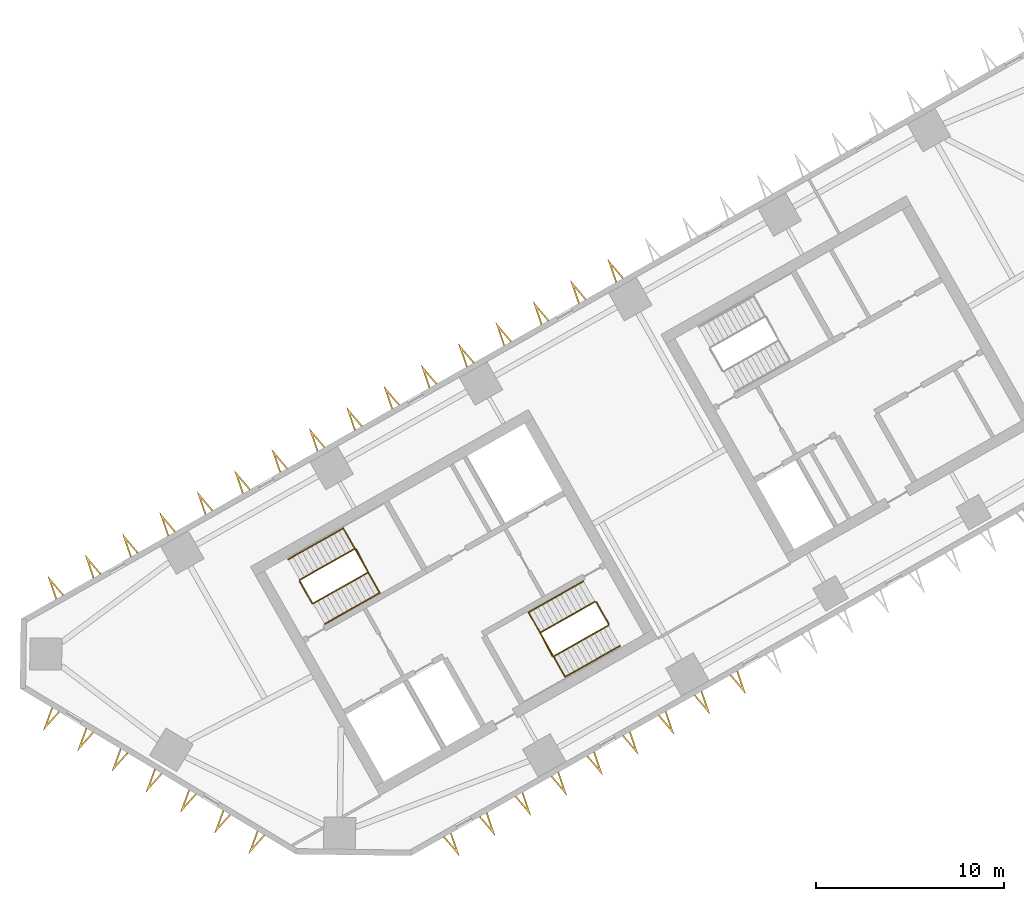
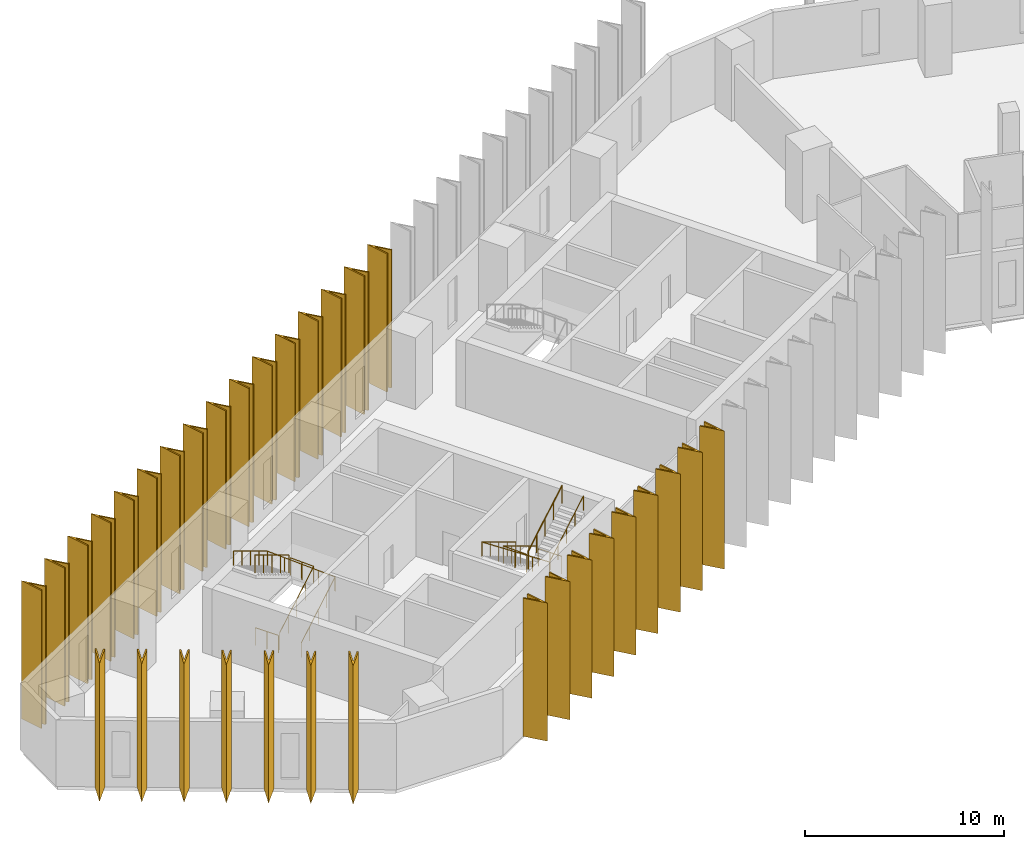
# One storey, part 9 of 11: 32 shading devices, 8 railings.
"""IFC4 building model written with IfcOpenShell, lengths in metres."""

from ifc_helpers import new_model, si_unit, direction, frame, origin, origin_2d, place, context, subcontext, project, spatial, polyline, circle, outline, extrude, material, type_object, element, save


model = new_model("IFC4")

# Units and contexts
model_context = context("Model", 3, precision=1e-05, world=origin(), true_north=direction((0.0, 1.0)))
body_context = subcontext(model_context, "Body", "Model", "MODEL_VIEW")
ifc_project = project(units=[si_unit("LENGTHUNIT", "METRE"), si_unit("AREAUNIT", "SQUARE_METRE"), si_unit("VOLUMEUNIT", "CUBIC_METRE"), si_unit("PLANEANGLEUNIT", "RADIAN"), si_unit("MASSUNIT", "GRAM", prefix="KILO")], contexts=[model_context])

# Site, building, storey
site_placement = place(None, origin())
site = spatial("IfcSite", under=ifc_project, at=site_placement, CompositionType="ELEMENT")
building_placement = place(site_placement, origin())
building = spatial("IfcBuilding", under=site, at=building_placement, Name="Binnacle Exchange Tower", CompositionType="ELEMENT")
storey_placement = place(building_placement, frame((0.0, 0.0, 123.5)))
storey = spatial("IfcBuildingStorey", under=building, at=storey_placement, Name="L25", CompositionType="ELEMENT", Elevation=123.5)

# Railings
ifc_material_1 = material(Name="Steel guard rail", Category="steel")
railing_type_1 = type_object("IfcRailingType", Name="STAIR GUARD 1100", PredefinedType="GUARDRAIL", material=ifc_material_1)
railing_1_placement = place(storey_placement, frame((-43.26171875, 39.71728515625, 0.169189453125)))
element("IfcRailing", 1, at=railing_1_placement, inside=storey, type_object=railing_type_1, Name="L25 STA1 stair guard 1", PredefinedType="GUARDRAIL", context=body_context, shape_type="SweptSolid", body=[
    extrude(circle(Radius=0.02392578125, at=origin_2d()), frame((0.0, 0.0, 1.076171875), z_axis=(0.744867460262, 0.421436531824, 0.517265614832), x_axis=(-0.492433119026, 0.870350287693, 0.0)), (0.0, 0.0, 1.0), 3.926025390625),
    extrude(circle(Radius=0.02392578125, at=origin_2d()), frame((2.92431640625, 1.654541015625, 3.10693359375), z_axis=(-0.460963092712, 0.887419307406, 0.0), x_axis=(-0.887419307406, -0.460963092712, 0.0)), (0.0, 0.0, 1.0), 1.40087890625),
    extrude(circle(Radius=0.02099609375, at=origin_2d()), origin(), (0.0, 0.0, 1.0), 1.052001953125),
    extrude(circle(Radius=0.02099609375, at=origin_2d()), frame((0.73095703125, 0.41357421875, 0.5078125)), (0.0, 0.0, 1.0), 1.052001953125),
    extrude(circle(Radius=0.02099609375, at=origin_2d()), frame((1.462158203125, 0.8271484375, 1.015380859375)), (0.0, 0.0, 1.0), 1.052001953125),
    extrude(circle(Radius=0.02099609375, at=origin_2d()), frame((2.193359375, 1.240966796875, 1.52294921875)), (0.0, 0.0, 1.0), 1.052001953125),
    extrude(circle(Radius=0.02099609375, at=origin_2d()), frame((2.92431640625, 1.654541015625, 2.03076171875)), (0.0, 0.0, 1.0), 1.052001953125),
    extrude(circle(Radius=0.02099609375, at=origin_2d()), frame((2.6015625, 2.276123046875, 2.03076171875)), (0.0, 0.0, 1.0), 1.052001953125),
    extrude(circle(Radius=0.02099609375, at=origin_2d()), frame((2.278564453125, 2.897705078125, 2.03076171875)), (0.0, 0.0, 1.0), 1.052001953125),
])
railing_2_placement = place(storey_placement, frame((-41.05126953125, 42.6337890625, 2.369140625)))
element("IfcRailing", 2, at=railing_2_placement, inside=storey, type_object=railing_type_1, Name="L25 STA1 stair guard 2", PredefinedType="GUARDRAIL", context=body_context, shape_type="SweptSolid", body=[
    extrude(circle(Radius=0.02392578125, at=origin_2d()), frame((0.0, 0.0, 1.076171875), z_axis=(-0.744895141965, -0.421417011194, 0.517241655469), x_axis=(0.49240197835, -0.870367905955, 0.0)), (0.0, 0.0, 1.0), 3.926025390625),
    extrude(circle(Radius=0.02099609375, at=origin_2d()), origin(), (0.0, 0.0, 1.0), 1.052001953125),
    extrude(circle(Radius=0.02099609375, at=origin_2d()), frame((-0.731201171875, -0.41357421875, 0.5078125)), (0.0, 0.0, 1.0), 1.052001953125),
    extrude(circle(Radius=0.02099609375, at=origin_2d()), frame((-1.46240234375, -0.8271484375, 1.015380859375)), (0.0, 0.0, 1.0), 1.052001953125),
    extrude(circle(Radius=0.02099609375, at=origin_2d()), frame((-2.193359375, -1.240966796875, 1.52294921875)), (0.0, 0.0, 1.0), 1.052001953125),
    extrude(circle(Radius=0.02099609375, at=origin_2d()), frame((-2.924560546875, -1.654541015625, 2.03076171875)), (0.0, 0.0, 1.0), 1.052001953125),
])
railing_3_placement = place(storey_placement, frame((-43.329833984375, 39.736328125, 0.0)))
element("IfcRailing", 3, at=railing_3_placement, inside=storey, type_object=railing_type_1, Name="L25 STA1 stair guard 3", PredefinedType="GUARDRAIL", context=body_context, shape_type="SweptSolid", body=[
    extrude(circle(Radius=0.02392578125, at=origin_2d()), frame((0.0, 0.0, 1.076171875), z_axis=(-0.4924922531, 0.870316827734, 0.0), x_axis=(-0.870316827734, -0.4924922531, 0.0)), (0.0, 0.0, 1.0), 1.349853515625),
    extrude(circle(Radius=0.02099609375, at=origin_2d()), origin(), (0.0, 0.0, 1.0), 1.052001953125),
    extrude(circle(Radius=0.02099609375, at=origin_2d()), frame((-0.33251953125, 0.58740234375, 0.0)), (0.0, 0.0, 1.0), 1.052001953125),
    extrude(circle(Radius=0.02099609375, at=origin_2d()), frame((-0.664794921875, 1.1748046875, 0.0)), (0.0, 0.0, 1.0), 1.052001953125),
])
railing_4_placement = place(storey_placement, frame((-28.265380859375, 39.814453125, 0.169189453125)))
element("IfcRailing", 4, at=railing_4_placement, inside=storey, type_object=railing_type_1, Name="L25 STA2 stair guard 1", PredefinedType="GUARDRAIL", context=body_context, shape_type="SweptSolid", body=[
    extrude(circle(Radius=0.02392578125, at=origin_2d()), frame((0.0, 0.0, 1.076171875), z_axis=(-0.744895141965, -0.421417011194, 0.517241655469), x_axis=(0.49240197835, -0.870367905955, 0.0)), (0.0, 0.0, 1.0), 3.926025390625),
    extrude(circle(Radius=0.02392578125, at=origin_2d()), frame((-2.924560546875, -1.654541015625, 3.10693359375), z_axis=(0.461100321709, -0.887348011391, 0.0), x_axis=(0.887348011391, 0.461100321709, 0.0)), (0.0, 0.0, 1.0), 1.40087890625),
    extrude(circle(Radius=0.02099609375, at=origin_2d()), origin(), (0.0, 0.0, 1.0), 1.052001953125),
    extrude(circle(Radius=0.02099609375, at=origin_2d()), frame((-0.731201171875, -0.41357421875, 0.5078125)), (0.0, 0.0, 1.0), 1.052001953125),
    extrude(circle(Radius=0.02099609375, at=origin_2d()), frame((-1.46240234375, -0.8271484375, 1.015380859375)), (0.0, 0.0, 1.0), 1.052001953125),
    extrude(circle(Radius=0.02099609375, at=origin_2d()), frame((-2.193359375, -1.240966796875, 1.52294921875)), (0.0, 0.0, 1.0), 1.052001953125),
    extrude(circle(Radius=0.02099609375, at=origin_2d()), frame((-2.924560546875, -1.654541015625, 2.03076171875)), (0.0, 0.0, 1.0), 1.052001953125),
    extrude(circle(Radius=0.02099609375, at=origin_2d()), frame((-2.6015625, -2.276123046875, 2.03076171875)), (0.0, 0.0, 1.0), 1.052001953125),
    extrude(circle(Radius=0.02099609375, at=origin_2d()), frame((-2.278564453125, -2.897705078125, 2.03076171875)), (0.0, 0.0, 1.0), 1.052001953125),
])
railing_5_placement = place(storey_placement, frame((-30.475830078125, 36.89794921875, 2.369140625)))
element("IfcRailing", 5, at=railing_5_placement, inside=storey, type_object=railing_type_1, Name="L25 STA2 stair guard 2", PredefinedType="GUARDRAIL", context=body_context, shape_type="SweptSolid", body=[
    extrude(circle(Radius=0.02392578125, at=origin_2d()), frame((0.0, 0.0, 1.076171875), z_axis=(0.744867460262, 0.421436531824, 0.517265614832), x_axis=(-0.492433119026, 0.870350287693, 0.0)), (0.0, 0.0, 1.0), 3.926025390625),
    extrude(circle(Radius=0.02099609375, at=origin_2d()), origin(), (0.0, 0.0, 1.0), 1.052001953125),
    extrude(circle(Radius=0.02099609375, at=origin_2d()), frame((0.73095703125, 0.41357421875, 0.5078125)), (0.0, 0.0, 1.0), 1.052001953125),
    extrude(circle(Radius=0.02099609375, at=origin_2d()), frame((1.462158203125, 0.8271484375, 1.015380859375)), (0.0, 0.0, 1.0), 1.052001953125),
    extrude(circle(Radius=0.02099609375, at=origin_2d()), frame((2.193359375, 1.240966796875, 1.52294921875)), (0.0, 0.0, 1.0), 1.052001953125),
    extrude(circle(Radius=0.02099609375, at=origin_2d()), frame((2.92431640625, 1.654541015625, 2.03076171875)), (0.0, 0.0, 1.0), 1.052001953125),
])
railing_6_placement = place(storey_placement, frame((-28.197265625, 39.795654296875, 0.0)))
element("IfcRailing", 6, at=railing_6_placement, inside=storey, type_object=railing_type_1, Name="L25 STA2 stair guard 3", PredefinedType="GUARDRAIL", context=body_context, shape_type="SweptSolid", body=[
    extrude(circle(Radius=0.02392578125, at=origin_2d()), frame((0.0, 0.0, 1.076171875), z_axis=(0.49241474071, -0.870360685654, 0.0), x_axis=(0.870360685654, 0.49241474071, 0.0)), (0.0, 0.0, 1.0), 1.35009765625),
    extrude(circle(Radius=0.02099609375, at=origin_2d()), origin(), (0.0, 0.0, 1.0), 1.052001953125),
    extrude(circle(Radius=0.02099609375, at=origin_2d()), frame((0.33251953125, -0.58740234375, 0.0)), (0.0, 0.0, 1.0), 1.052001953125),
    extrude(circle(Radius=0.02099609375, at=origin_2d()), frame((0.664794921875, -1.175048828125, 0.0)), (0.0, 0.0, 1.0), 1.052001953125),
])
ifc_material_2 = material(Name="Steel handrail", Category="steel")
railing_type_2 = type_object("IfcRailingType", Name="STAIR HANDRAIL 900", PredefinedType="HANDRAIL", material=ifc_material_2)
railing_7_placement = place(storey_placement, frame((-42.646240234375, 38.62939453125, 0.169189453125)))
element("IfcRailing", 7, at=railing_7_placement, inside=storey, type_object=railing_type_2, Name="L25 STA1 stair handrail 1", PredefinedType="HANDRAIL", context=body_context, shape_type="SweptSolid", body=[
    extrude(circle(Radius=0.02392578125, at=origin_2d()), frame((0.0, 0.0, 0.8759765625), z_axis=(0.744867460262, 0.421436531824, 0.517265614832), x_axis=(-0.492433119026, 0.870350287693, 0.0)), (0.0, 0.0, 1.0), 3.926025390625),
    extrude(circle(Radius=0.02392578125, at=origin_2d()), frame((2.92431640625, 1.654541015625, 2.90673828125), z_axis=(-0.491962556146, 0.869564041126, 0.04279277663), x_axis=(-0.870361318571, -0.492413622004, 0.0)), (0.0, 0.0, 1.0), 3.95361328125),
    extrude(circle(Radius=0.02392578125, at=origin_2d()), frame((0.979248046875, 5.092529296875, 3.07568359375), z_axis=(-0.744867460262, -0.421436531824, 0.517265614832), x_axis=(0.492433119026, -0.870350287693, 0.0)), (0.0, 0.0, 1.0), 3.926025390625),
    extrude(circle(Radius=0.02099609375, at=origin_2d()), origin(), (0.0, 0.0, 1.0), 0.851806640625),
    extrude(circle(Radius=0.02099609375, at=origin_2d()), frame((0.73095703125, 0.41357421875, 0.5078125)), (0.0, 0.0, 1.0), 0.851806640625),
    extrude(circle(Radius=0.02099609375, at=origin_2d()), frame((1.462158203125, 0.8271484375, 1.015380859375)), (0.0, 0.0, 1.0), 0.851806640625),
    extrude(circle(Radius=0.02099609375, at=origin_2d()), frame((2.193359375, 1.240966796875, 1.52294921875)), (0.0, 0.0, 1.0), 0.851806640625),
    extrude(circle(Radius=0.02099609375, at=origin_2d()), frame((2.92431640625, 1.654541015625, 2.03076171875)), (0.0, 0.0, 1.0), 0.851806640625),
    extrude(circle(Radius=0.02099609375, at=origin_2d()), frame((2.43798828125, 2.51416015625, 2.072998046875)), (0.0, 0.0, 1.0), 0.851806640625),
    extrude(circle(Radius=0.02099609375, at=origin_2d()), frame((1.95166015625, 3.37353515625, 2.115234375)), (0.0, 0.0, 1.0), 0.851806640625),
    extrude(circle(Radius=0.02099609375, at=origin_2d()), frame((1.465576171875, 4.23291015625, 2.15771484375)), (0.0, 0.0, 1.0), 0.851806640625),
    extrude(circle(Radius=0.02099609375, at=origin_2d()), frame((0.979248046875, 5.092529296875, 2.199951171875)), (0.0, 0.0, 1.0), 0.851806640625),
    extrude(circle(Radius=0.02099609375, at=origin_2d()), frame((0.248046875, 4.678955078125, 2.70751953125)), (0.0, 0.0, 1.0), 0.851806640625),
    extrude(circle(Radius=0.02099609375, at=origin_2d()), frame((-0.48291015625, 4.26513671875, 3.21533203125)), (0.0, 0.0, 1.0), 0.851806640625),
    extrude(circle(Radius=0.02099609375, at=origin_2d()), frame((-1.2138671875, 3.8515625, 3.72314453125)), (0.0, 0.0, 1.0), 0.851806640625),
    extrude(circle(Radius=0.02099609375, at=origin_2d()), frame((-1.945068359375, 3.43798828125, 4.230712890625)), (0.0, 0.0, 1.0), 0.851806640625),
])
railing_8_placement = place(storey_placement, frame((-28.880859375, 40.90234375, 0.169189453125)))
element("IfcRailing", 8, at=railing_8_placement, inside=storey, type_object=railing_type_2, Name="L25 STA2 stair handrail 1", PredefinedType="HANDRAIL", context=body_context, shape_type="SweptSolid", body=[
    extrude(circle(Radius=0.02392578125, at=origin_2d()), frame((0.0, 0.0, 0.8759765625), z_axis=(-0.744895141965, -0.421417011194, 0.517241655469), x_axis=(0.49240197835, -0.870367905955, 0.0)), (0.0, 0.0, 1.0), 3.926025390625),
    extrude(circle(Radius=0.02392578125, at=origin_2d()), frame((-2.924560546875, -1.654541015625, 2.90673828125), z_axis=(0.491988973567, -0.869548981648, 0.042795074518), x_axis=(0.87034633103, 0.492440112159, 0.0)), (0.0, 0.0, 1.0), 3.953369140625),
    extrude(circle(Radius=0.02392578125, at=origin_2d()), frame((-0.9794921875, -5.09228515625, 3.07568359375), z_axis=(0.744895141965, 0.421417011194, 0.517241655469), x_axis=(-0.49240197835, 0.870367905955, 0.0)), (0.0, 0.0, 1.0), 3.926025390625),
    extrude(circle(Radius=0.02099609375, at=origin_2d()), origin(), (0.0, 0.0, 1.0), 0.851806640625),
    extrude(circle(Radius=0.02099609375, at=origin_2d()), frame((-0.731201171875, -0.41357421875, 0.5078125)), (0.0, 0.0, 1.0), 0.851806640625),
    extrude(circle(Radius=0.02099609375, at=origin_2d()), frame((-1.46240234375, -0.8271484375, 1.015380859375)), (0.0, 0.0, 1.0), 0.851806640625),
    extrude(circle(Radius=0.02099609375, at=origin_2d()), frame((-2.193359375, -1.240966796875, 1.52294921875)), (0.0, 0.0, 1.0), 0.851806640625),
    extrude(circle(Radius=0.02099609375, at=origin_2d()), frame((-2.924560546875, -1.654541015625, 2.03076171875)), (0.0, 0.0, 1.0), 0.851806640625),
    extrude(circle(Radius=0.02099609375, at=origin_2d()), frame((-2.438232421875, -2.513916015625, 2.072998046875)), (0.0, 0.0, 1.0), 0.851806640625),
    extrude(circle(Radius=0.02099609375, at=origin_2d()), frame((-1.9521484375, -3.37353515625, 2.115234375)), (0.0, 0.0, 1.0), 0.851806640625),
    extrude(circle(Radius=0.02099609375, at=origin_2d()), frame((-1.4658203125, -4.23291015625, 2.15771484375)), (0.0, 0.0, 1.0), 0.851806640625),
    extrude(circle(Radius=0.02099609375, at=origin_2d()), frame((-0.9794921875, -5.09228515625, 2.199951171875)), (0.0, 0.0, 1.0), 0.851806640625),
    extrude(circle(Radius=0.02099609375, at=origin_2d()), frame((-0.248291015625, -4.6787109375, 2.70751953125)), (0.0, 0.0, 1.0), 0.851806640625),
    extrude(circle(Radius=0.02099609375, at=origin_2d()), frame((0.48291015625, -4.26513671875, 3.21533203125)), (0.0, 0.0, 1.0), 0.851806640625),
    extrude(circle(Radius=0.02099609375, at=origin_2d()), frame((1.2138671875, -3.851318359375, 3.72314453125)), (0.0, 0.0, 1.0), 0.851806640625),
    extrude(circle(Radius=0.02099609375, at=origin_2d()), frame((1.945068359375, -3.437744140625, 4.230712890625)), (0.0, 0.0, 1.0), 0.851806640625),
])

# Shading devices
ifc_material_3 = material(Name="Bronze aluminium cladding", Category="aluminium")
shading_device_type = type_object("IfcShadingDeviceType", Name="V FIN 1300 DEEP x 8480 HIGH", PredefinedType="USERDEFINED", material=ifc_material_3)
shading_device_1_placement = place(storey_placement, origin())
element("IfcShadingDevice", 9, at=shading_device_1_placement, inside=storey, type_object=shading_device_type, Name="V fin FN-F03-12 L25", ObjectType="FIN", PredefinedType="USERDEFINED", context=body_context, shape_type="SweptSolid", body=[
    extrude(outline(polyline([(-26.7412109375, 57.04296875), (-27.59912109375, 58.05126953125), (-27.176513671875, 56.796630859375), (-27.10546875, 56.8369140625), (-27.390380859375, 57.6826171875), (-26.81201171875, 57.002685546875), (-26.7412109375, 57.04296875)])), origin(), (0.0, 0.0, 1.0), 8.47998046875),
])
shading_device_2_placement = place(storey_placement, origin())
element("IfcShadingDevice", 10, at=shading_device_2_placement, inside=storey, type_object=shading_device_type, Name="V fin FN-F03-13 L25", ObjectType="FIN", PredefinedType="USERDEFINED", context=body_context, shape_type="SweptSolid", body=[
    extrude(outline(polyline([(-28.727783203125, 55.9189453125), (-29.58544921875, 56.92724609375), (-29.162841796875, 55.672607421875), (-29.092041015625, 55.712890625), (-29.376708984375, 56.55859375), (-28.798583984375, 55.87890625), (-28.727783203125, 55.9189453125)])), origin(), (0.0, 0.0, 1.0), 8.47998046875),
])
shading_device_3_placement = place(storey_placement, origin())
element("IfcShadingDevice", 11, at=shading_device_3_placement, inside=storey, type_object=shading_device_type, Name="V fin FN-F03-14 L25", ObjectType="FIN", PredefinedType="USERDEFINED", context=body_context, shape_type="SweptSolid", body=[
    extrude(outline(polyline([(-30.71435546875, 54.794921875), (-31.572021484375, 55.803466796875), (-31.1494140625, 54.548828125), (-31.07861328125, 54.5888671875), (-31.36328125, 55.434814453125), (-30.78515625, 54.7548828125), (-30.71435546875, 54.794921875)])), origin(), (0.0, 0.0, 1.0), 8.47998046875),
])
shading_device_4_placement = place(storey_placement, origin())
element("IfcShadingDevice", 12, at=shading_device_4_placement, inside=storey, type_object=shading_device_type, Name="V fin FN-F03-15 L25", ObjectType="FIN", PredefinedType="USERDEFINED", context=body_context, shape_type="SweptSolid", body=[
    extrude(outline(polyline([(-32.70068359375, 53.6708984375), (-33.55859375, 54.679443359375), (-33.135986328125, 53.4248046875), (-33.065185546875, 53.46484375), (-33.349853515625, 54.310791015625), (-32.771728515625, 53.630859375), (-32.70068359375, 53.6708984375)])), origin(), (0.0, 0.0, 1.0), 8.47998046875),
])
shading_device_5_placement = place(storey_placement, origin())
element("IfcShadingDevice", 13, at=shading_device_5_placement, inside=storey, type_object=shading_device_type, Name="V fin FN-F03-16 L25", ObjectType="FIN", PredefinedType="USERDEFINED", context=body_context, shape_type="SweptSolid", body=[
    extrude(outline(polyline([(-34.687255859375, 52.547119140625), (-35.545166015625, 53.555419921875), (-35.12255859375, 52.30078125), (-35.051513671875, 52.341064453125), (-35.33642578125, 53.186767578125), (-34.75830078125, 52.507080078125), (-34.687255859375, 52.547119140625)])), origin(), (0.0, 0.0, 1.0), 8.47998046875),
])
shading_device_6_placement = place(storey_placement, origin())
element("IfcShadingDevice", 14, at=shading_device_6_placement, inside=storey, type_object=shading_device_type, Name="V fin FN-F03-17 L25", ObjectType="FIN", PredefinedType="USERDEFINED", context=body_context, shape_type="SweptSolid", body=[
    extrude(outline(polyline([(-36.673828125, 51.423095703125), (-37.53173828125, 52.431640625), (-37.109130859375, 51.177001953125), (-37.0380859375, 51.217041015625), (-37.322998046875, 52.06298828125), (-36.744873046875, 51.383056640625), (-36.673828125, 51.423095703125)])), origin(), (0.0, 0.0, 1.0), 8.47998046875),
])
shading_device_7_placement = place(storey_placement, origin())
element("IfcShadingDevice", 15, at=shading_device_7_placement, inside=storey, type_object=shading_device_type, Name="V fin FN-F03-18 L25", ObjectType="FIN", PredefinedType="USERDEFINED", context=body_context, shape_type="SweptSolid", body=[
    extrude(outline(polyline([(-38.660400390625, 50.29931640625), (-39.518310546875, 51.3076171875), (-39.095703125, 50.052978515625), (-39.02490234375, 50.093017578125), (-39.3095703125, 50.93896484375), (-38.7314453125, 50.259033203125), (-38.660400390625, 50.29931640625)])), origin(), (0.0, 0.0, 1.0), 8.47998046875),
])
shading_device_8_placement = place(storey_placement, origin())
element("IfcShadingDevice", 16, at=shading_device_8_placement, inside=storey, type_object=shading_device_type, Name="V fin FN-F03-19 L25", ObjectType="FIN", PredefinedType="USERDEFINED", context=body_context, shape_type="SweptSolid", body=[
    extrude(outline(polyline([(-40.64697265625, 49.17529296875), (-41.5048828125, 50.18359375), (-41.082275390625, 48.92919921875), (-41.01123046875, 48.96923828125), (-41.296142578125, 49.81494140625), (-40.718017578125, 49.13525390625), (-40.64697265625, 49.17529296875)])), origin(), (0.0, 0.0, 1.0), 8.47998046875),
])
shading_device_9_placement = place(storey_placement, origin())
element("IfcShadingDevice", 17, at=shading_device_9_placement, inside=storey, type_object=shading_device_type, Name="V fin FN-F03-20 L25", ObjectType="FIN", PredefinedType="USERDEFINED", context=body_context, shape_type="SweptSolid", body=[
    extrude(outline(polyline([(-42.633544921875, 48.05126953125), (-43.491455078125, 49.059814453125), (-43.06884765625, 47.80517578125), (-42.997802734375, 47.84521484375), (-43.28271484375, 48.69091796875), (-42.70458984375, 48.01123046875), (-42.633544921875, 48.05126953125)])), origin(), (0.0, 0.0, 1.0), 8.47998046875),
])
shading_device_10_placement = place(storey_placement, origin())
element("IfcShadingDevice", 18, at=shading_device_10_placement, inside=storey, type_object=shading_device_type, Name="V fin FN-F03-21 L25", ObjectType="FIN", PredefinedType="USERDEFINED", context=body_context, shape_type="SweptSolid", body=[
    extrude(outline(polyline([(-44.6201171875, 46.927490234375), (-45.47802734375, 47.935791015625), (-45.055419921875, 46.68115234375), (-44.984619140625, 46.72119140625), (-45.269287109375, 47.567138671875), (-44.691162109375, 46.88720703125), (-44.6201171875, 46.927490234375)])), origin(), (0.0, 0.0, 1.0), 8.47998046875),
])
shading_device_11_placement = place(storey_placement, origin())
element("IfcShadingDevice", 19, at=shading_device_11_placement, inside=storey, type_object=shading_device_type, Name="V fin FN-F03-22 L25", ObjectType="FIN", PredefinedType="USERDEFINED", context=body_context, shape_type="SweptSolid", body=[
    extrude(outline(polyline([(-46.606689453125, 45.803466796875), (-47.464599609375, 46.81201171875), (-47.0419921875, 45.557373046875), (-46.970947265625, 45.597412109375), (-47.255859375, 46.443115234375), (-46.677490234375, 45.763427734375), (-46.606689453125, 45.803466796875)])), origin(), (0.0, 0.0, 1.0), 8.47998046875),
])
shading_device_12_placement = place(storey_placement, origin())
element("IfcShadingDevice", 20, at=shading_device_12_placement, inside=storey, type_object=shading_device_type, Name="V fin FN-F03-23 L25", ObjectType="FIN", PredefinedType="USERDEFINED", context=body_context, shape_type="SweptSolid", body=[
    extrude(outline(polyline([(-48.59326171875, 44.679443359375), (-49.451171875, 45.68798828125), (-49.028564453125, 44.433349609375), (-48.95751953125, 44.473388671875), (-49.242431640625, 45.319091796875), (-48.664306640625, 44.639404296875), (-48.59326171875, 44.679443359375)])), origin(), (0.0, 0.0, 1.0), 8.47998046875),
])
shading_device_13_placement = place(storey_placement, origin())
element("IfcShadingDevice", 21, at=shading_device_13_placement, inside=storey, type_object=shading_device_type, Name="V fin FN-F03-24 L25", ObjectType="FIN", PredefinedType="USERDEFINED", context=body_context, shape_type="SweptSolid", body=[
    extrude(outline(polyline([(-50.579833984375, 43.5556640625), (-51.4375, 44.56396484375), (-51.014892578125, 43.309326171875), (-50.944091796875, 43.349609375), (-51.22900390625, 44.1953125), (-50.650634765625, 43.515380859375), (-50.579833984375, 43.5556640625)])), origin(), (0.0, 0.0, 1.0), 8.47998046875),
])
shading_device_14_placement = place(storey_placement, origin())
element("IfcShadingDevice", 22, at=shading_device_14_placement, inside=storey, type_object=shading_device_type, Name="V fin FN-F03-25 L25", ObjectType="FIN", PredefinedType="USERDEFINED", context=body_context, shape_type="SweptSolid", body=[
    extrude(outline(polyline([(-52.56640625, 42.431640625), (-53.42431640625, 43.440185546875), (-53.001708984375, 42.185546875), (-52.9306640625, 42.2255859375), (-53.215576171875, 43.0712890625), (-52.63720703125, 42.3916015625), (-52.56640625, 42.431640625)])), origin(), (0.0, 0.0, 1.0), 8.47998046875),
])
shading_device_15_placement = place(storey_placement, origin())
element("IfcShadingDevice", 23, at=shading_device_15_placement, inside=storey, type_object=shading_device_type, Name="V fin FN-F03-26 L25", ObjectType="FIN", PredefinedType="USERDEFINED", context=body_context, shape_type="SweptSolid", body=[
    extrude(outline(polyline([(-54.552978515625, 41.3076171875), (-55.410888671875, 42.316162109375), (-54.98828125, 41.0615234375), (-54.917236328125, 41.1015625), (-55.2021484375, 41.947509765625), (-54.623779296875, 41.267578125), (-54.552978515625, 41.3076171875)])), origin(), (0.0, 0.0, 1.0), 8.47998046875),
])
shading_device_16_placement = place(storey_placement, origin())
element("IfcShadingDevice", 24, at=shading_device_16_placement, inside=storey, type_object=shading_device_type, Name="V fin FN-F03-27 L25", ObjectType="FIN", PredefinedType="USERDEFINED", context=body_context, shape_type="SweptSolid", body=[
    extrude(outline(polyline([(-56.53955078125, 40.183837890625), (-57.397216796875, 41.192138671875), (-56.974609375, 39.9375), (-56.90380859375, 39.977783203125), (-57.188720703125, 40.823486328125), (-56.6103515625, 40.143798828125), (-56.53955078125, 40.183837890625)])), origin(), (0.0, 0.0, 1.0), 8.47998046875),
])
shading_device_17_placement = place(storey_placement, origin())
element("IfcShadingDevice", 25, at=shading_device_17_placement, inside=storey, type_object=shading_device_type, Name="V fin FN-F05-01 L25", ObjectType="FIN", PredefinedType="USERDEFINED", context=body_context, shape_type="SweptSolid", body=[
    extrude(outline(polyline([(-57.18603515625, 34.185791015625), (-57.641357421875, 32.94287109375), (-56.757568359375, 33.92822265625), (-56.827392578125, 33.97021484375), (-57.423095703125, 33.305908203125), (-57.1162109375, 34.143798828125), (-57.18603515625, 34.185791015625)])), origin(), (0.0, 0.0, 1.0), 8.47998046875),
])
shading_device_18_placement = place(storey_placement, origin())
element("IfcShadingDevice", 26, at=shading_device_18_placement, inside=storey, type_object=shading_device_type, Name="V fin FN-F05-02 L25", ObjectType="FIN", PredefinedType="USERDEFINED", context=body_context, shape_type="SweptSolid", body=[
    extrude(outline(polyline([(-55.364501953125, 33.09130859375), (-55.81982421875, 31.848388671875), (-54.93603515625, 32.833740234375), (-55.005859375, 32.875732421875), (-55.601806640625, 32.21142578125), (-55.294921875, 33.04931640625), (-55.364501953125, 33.09130859375)])), origin(), (0.0, 0.0, 1.0), 8.47998046875),
])
shading_device_19_placement = place(storey_placement, origin())
element("IfcShadingDevice", 27, at=shading_device_19_placement, inside=storey, type_object=shading_device_type, Name="V fin FN-F05-03 L25", ObjectType="FIN", PredefinedType="USERDEFINED", context=body_context, shape_type="SweptSolid", body=[
    extrude(outline(polyline([(-53.543212890625, 31.9970703125), (-53.998291015625, 30.75390625), (-53.114501953125, 31.739501953125), (-53.184326171875, 31.781494140625), (-53.7802734375, 31.116943359375), (-53.473388671875, 31.955078125), (-53.543212890625, 31.9970703125)])), origin(), (0.0, 0.0, 1.0), 8.47998046875),
])
shading_device_20_placement = place(storey_placement, origin())
element("IfcShadingDevice", 28, at=shading_device_20_placement, inside=storey, type_object=shading_device_type, Name="V fin FN-F05-04 L25", ObjectType="FIN", PredefinedType="USERDEFINED", context=body_context, shape_type="SweptSolid", body=[
    extrude(outline(polyline([(-51.7216796875, 30.902587890625), (-52.1767578125, 29.659423828125), (-51.29296875, 30.64501953125), (-51.36279296875, 30.68701171875), (-51.958740234375, 30.0224609375), (-51.65185546875, 30.860595703125), (-51.7216796875, 30.902587890625)])), origin(), (0.0, 0.0, 1.0), 8.47998046875),
])
shading_device_21_placement = place(storey_placement, origin())
element("IfcShadingDevice", 29, at=shading_device_21_placement, inside=storey, type_object=shading_device_type, Name="V fin FN-F05-05 L25", ObjectType="FIN", PredefinedType="USERDEFINED", context=body_context, shape_type="SweptSolid", body=[
    extrude(outline(polyline([(-49.900146484375, 29.80810546875), (-50.35546875, 28.56494140625), (-49.4716796875, 29.55029296875), (-49.54150390625, 29.59228515625), (-50.13720703125, 28.927978515625), (-49.830322265625, 29.76611328125), (-49.900146484375, 29.80810546875)])), origin(), (0.0, 0.0, 1.0), 8.47998046875),
])
shading_device_22_placement = place(storey_placement, origin())
element("IfcShadingDevice", 30, at=shading_device_22_placement, inside=storey, type_object=shading_device_type, Name="V fin FN-F05-06 L25", ObjectType="FIN", PredefinedType="USERDEFINED", context=body_context, shape_type="SweptSolid", body=[
    extrude(outline(polyline([(-48.07861328125, 28.713623046875), (-48.533935546875, 27.470458984375), (-47.650146484375, 28.4560546875), (-47.719970703125, 28.498046875), (-48.31591796875, 27.83349609375), (-48.0087890625, 28.671630859375), (-48.07861328125, 28.713623046875)])), origin(), (0.0, 0.0, 1.0), 8.47998046875),
])
shading_device_23_placement = place(storey_placement, origin())
element("IfcShadingDevice", 31, at=shading_device_23_placement, inside=storey, type_object=shading_device_type, Name="V fin FN-F05-07 L25", ObjectType="FIN", PredefinedType="USERDEFINED", context=body_context, shape_type="SweptSolid", body=[
    extrude(outline(polyline([(-46.257080078125, 27.619140625), (-46.71240234375, 26.3759765625), (-45.82861328125, 27.361572265625), (-45.8984375, 27.403564453125), (-46.494384765625, 26.739013671875), (-46.1875, 27.5771484375), (-46.257080078125, 27.619140625)])), origin(), (0.0, 0.0, 1.0), 8.47998046875),
])
shading_device_24_placement = place(storey_placement, origin())
element("IfcShadingDevice", 32, at=shading_device_24_placement, inside=storey, type_object=shading_device_type, Name="V fin FN-F07-01 L25", ObjectType="FIN", PredefinedType="USERDEFINED", context=body_context, shape_type="SweptSolid", body=[
    extrude(outline(polyline([(-36.336669921875, 27.269287109375), (-35.47900390625, 26.260986328125), (-35.901611328125, 27.515625), (-35.972412109375, 27.4755859375), (-35.6875, 26.629638671875), (-36.265869140625, 27.3095703125), (-36.336669921875, 27.269287109375)])), origin(), (0.0, 0.0, 1.0), 8.47998046875),
])
shading_device_25_placement = place(storey_placement, origin())
element("IfcShadingDevice", 33, at=shading_device_25_placement, inside=storey, type_object=shading_device_type, Name="V fin FN-F07-02 L25", ObjectType="FIN", PredefinedType="USERDEFINED", context=body_context, shape_type="SweptSolid", body=[
    extrude(outline(polyline([(-34.431640625, 28.34716796875), (-33.573974609375, 27.338623046875), (-33.99658203125, 28.59326171875), (-34.0673828125, 28.55322265625), (-33.78271484375, 27.70751953125), (-34.36083984375, 28.38720703125), (-34.431640625, 28.34716796875)])), origin(), (0.0, 0.0, 1.0), 8.47998046875),
])
shading_device_26_placement = place(storey_placement, origin())
element("IfcShadingDevice", 34, at=shading_device_26_placement, inside=storey, type_object=shading_device_type, Name="V fin FN-F07-03 L25", ObjectType="FIN", PredefinedType="USERDEFINED", context=body_context, shape_type="SweptSolid", body=[
    extrude(outline(polyline([(-32.52685546875, 29.4248046875), (-31.669189453125, 28.41650390625), (-32.091796875, 29.671142578125), (-32.16259765625, 29.631103515625), (-31.877685546875, 28.78515625), (-32.4560546875, 29.465087890625), (-32.52685546875, 29.4248046875)])), origin(), (0.0, 0.0, 1.0), 8.47998046875),
])
shading_device_27_placement = place(storey_placement, origin())
element("IfcShadingDevice", 35, at=shading_device_27_placement, inside=storey, type_object=shading_device_type, Name="V fin FN-F07-04 L25", ObjectType="FIN", PredefinedType="USERDEFINED", context=body_context, shape_type="SweptSolid", body=[
    extrude(outline(polyline([(-30.6220703125, 30.502685546875), (-29.76416015625, 29.494140625), (-30.186767578125, 30.748779296875), (-30.2578125, 30.708740234375), (-29.972900390625, 29.86279296875), (-30.551025390625, 30.542724609375), (-30.6220703125, 30.502685546875)])), origin(), (0.0, 0.0, 1.0), 8.47998046875),
])
shading_device_28_placement = place(storey_placement, origin())
element("IfcShadingDevice", 36, at=shading_device_28_placement, inside=storey, type_object=shading_device_type, Name="V fin FN-F07-05 L25", ObjectType="FIN", PredefinedType="USERDEFINED", context=body_context, shape_type="SweptSolid", body=[
    extrude(outline(polyline([(-28.717041015625, 31.580322265625), (-27.859375, 30.572021484375), (-28.281982421875, 31.826416015625), (-28.352783203125, 31.786376953125), (-28.068115234375, 30.940673828125), (-28.646240234375, 31.620361328125), (-28.717041015625, 31.580322265625)])), origin(), (0.0, 0.0, 1.0), 8.47998046875),
])
shading_device_29_placement = place(storey_placement, origin())
element("IfcShadingDevice", 37, at=shading_device_29_placement, inside=storey, type_object=shading_device_type, Name="V fin FN-F07-06 L25", ObjectType="FIN", PredefinedType="USERDEFINED", context=body_context, shape_type="SweptSolid", body=[
    extrude(outline(polyline([(-26.812255859375, 32.658203125), (-25.954345703125, 31.649658203125), (-26.376953125, 32.904296875), (-26.447998046875, 32.8642578125), (-26.1630859375, 32.018310546875), (-26.7412109375, 32.6982421875), (-26.812255859375, 32.658203125)])), origin(), (0.0, 0.0, 1.0), 8.47998046875),
])
shading_device_30_placement = place(storey_placement, origin())
element("IfcShadingDevice", 38, at=shading_device_30_placement, inside=storey, type_object=shading_device_type, Name="V fin FN-F07-07 L25", ObjectType="FIN", PredefinedType="USERDEFINED", context=body_context, shape_type="SweptSolid", body=[
    extrude(outline(polyline([(-24.9072265625, 33.73583984375), (-24.049560546875, 32.727294921875), (-24.47216796875, 33.98193359375), (-24.54296875, 33.94189453125), (-24.25830078125, 33.09619140625), (-24.83642578125, 33.77587890625), (-24.9072265625, 33.73583984375)])), origin(), (0.0, 0.0, 1.0), 8.47998046875),
])
shading_device_31_placement = place(storey_placement, origin())
element("IfcShadingDevice", 39, at=shading_device_31_placement, inside=storey, type_object=shading_device_type, Name="V fin FN-F07-08 L25", ObjectType="FIN", PredefinedType="USERDEFINED", context=body_context, shape_type="SweptSolid", body=[
    extrude(outline(polyline([(-23.00244140625, 34.8134765625), (-22.14453125, 33.80517578125), (-22.567138671875, 35.059814453125), (-22.63818359375, 35.01953125), (-22.353271484375, 34.173828125), (-22.931396484375, 34.853515625), (-23.00244140625, 34.8134765625)])), origin(), (0.0, 0.0, 1.0), 8.47998046875),
])
shading_device_32_placement = place(storey_placement, origin())
element("IfcShadingDevice", 40, at=shading_device_32_placement, inside=storey, type_object=shading_device_type, Name="V fin FN-F07-09 L25", ObjectType="FIN", PredefinedType="USERDEFINED", context=body_context, shape_type="SweptSolid", body=[
    extrude(outline(polyline([(-21.097412109375, 35.891357421875), (-20.23974609375, 34.8828125), (-20.662353515625, 36.137451171875), (-20.733154296875, 36.097412109375), (-20.448486328125, 35.251708984375), (-21.026611328125, 35.931396484375), (-21.097412109375, 35.891357421875)])), origin(), (0.0, 0.0, 1.0), 8.47998046875),
])

save(model, "model.ifc")
